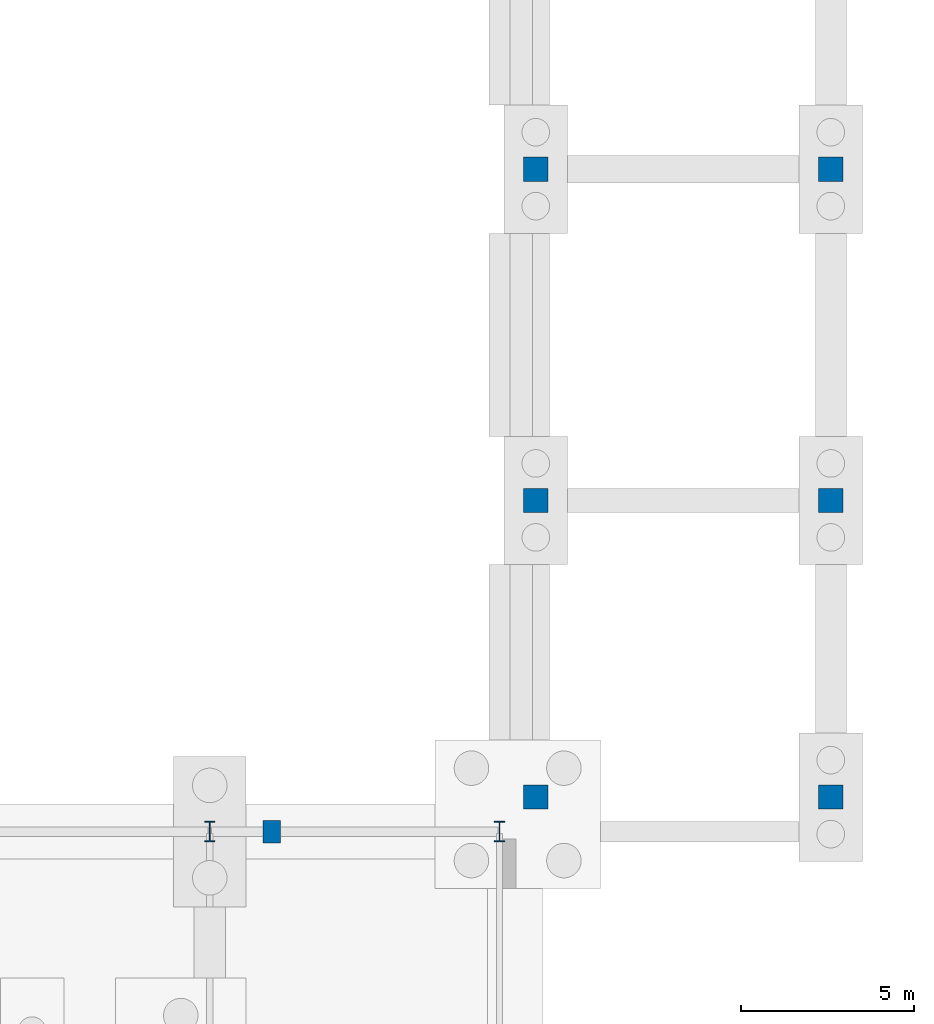
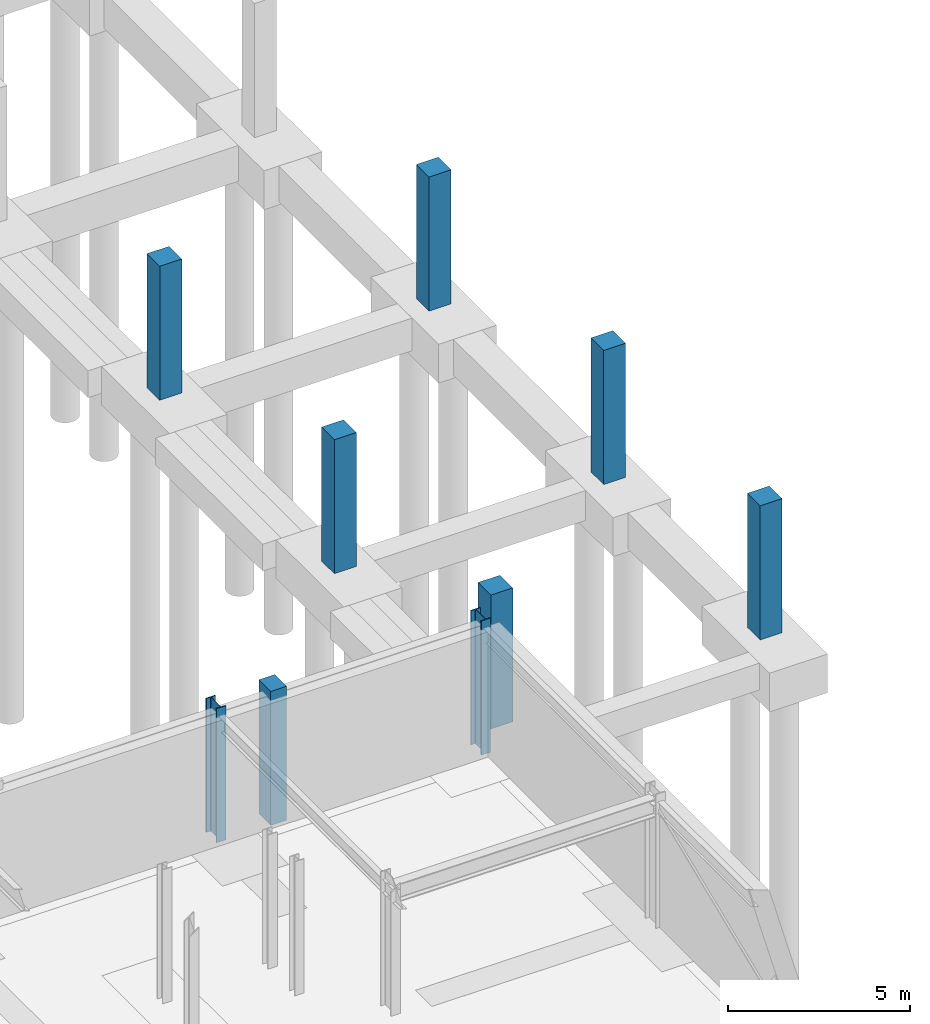
# One storey, part 25 of 59: 9 columns.
"""IFC4 building model written with IfcOpenShell, lengths in metres."""

from ifc_helpers import new_model, si_unit, direction, frame, origin, origin_2d, place, context, subcontext, project, spatial, rectangle, i_section, extrude, material, material_profile, profile_set, type_object, element, save


model = new_model("IFC4")

# Units and contexts
model_context = context("Model", 3, precision=1e-05, world=origin(), true_north=direction((0.0, 1.0)))
body_context = subcontext(model_context, "Body", "Model", "MODEL_VIEW")
ifc_project = project(units=[si_unit("LENGTHUNIT", "METRE"), si_unit("AREAUNIT", "SQUARE_METRE"), si_unit("VOLUMEUNIT", "CUBIC_METRE"), si_unit("PLANEANGLEUNIT", "RADIAN"), si_unit("MASSUNIT", "GRAM", prefix="KILO")], contexts=[model_context])

# Site, building, storey
site_placement = place(None, origin())
site = spatial("IfcSite", under=ifc_project, at=site_placement, CompositionType="ELEMENT")
building_placement = place(site_placement, origin())
building = spatial("IfcBuilding", under=site, at=building_placement, Name="Myrtia Square Station", CompositionType="ELEMENT")
storey_placement = place(building_placement, frame((0.0, 0.0, -4.5)))
storey = spatial("IfcBuildingStorey", under=building, at=storey_placement, Name="B01", CompositionType="ELEMENT", Elevation=-4.5)

# Columns
ifc_material_1 = material(Name="Steel S355", Category="steel")
ifc_material_profile_1 = material_profile(ifc_material_1, i_section(OverallWidth=0.300048828125, OverallDepth=0.60009765625, WebThickness=0.015380859375, FlangeThickness=0.030029296875, FilletRadius=0.027099609375, at=origin_2d()), Name="HEB 600")
ifc_profile_set_1 = profile_set([ifc_material_profile_1], Name="Steel S355")
column_type_1 = type_object("IfcColumnType", Name="COL-HEB600", PredefinedType="COLUMN", material=ifc_profile_set_1)
for number, where, z_axis, x_axis, name in (
    (1, (171.0, 38.39990234375, 0.0), (0.0, 0.0, 1.0), (1.0, 0.0, 0.0), "Column B01-0713"),
    (2, (179.39990234375, 38.39990234375, 0.0), (0.0, 0.0, 1.0), (1.0, 0.0, 0.0), "Column B01-0731"),
):
    element("IfcColumn", number, at=place(storey_placement, frame(where, z_axis=z_axis, x_axis=x_axis)), inside=storey, type_object=column_type_1, Name=name, PredefinedType="COLUMN", context=body_context, shape_type="SweptSolid", body=[
        extrude(i_section(OverallWidth=0.300048828125, OverallDepth=0.60009765625, WebThickness=0.015380859375, FlangeThickness=0.030029296875, FilletRadius=0.027099609375, at=origin_2d()), origin(), (0.0, 0.0, 1.0), 4.5),
    ])
ifc_material_2 = material(Name="Concrete C40/50", Category="concrete")
ifc_material_profile_2 = material_profile(ifc_material_2, rectangle(XDim=0.699951171875, YDim=0.699951171875, at=origin_2d()), Name="RC 700x700")
ifc_profile_set_2 = profile_set([ifc_material_profile_2], Name="Concrete C40/50")
column_type_2 = type_object("IfcColumnType", Name="COL-RC700", PredefinedType="COLUMN", material=ifc_profile_set_2)
for number, where, z_axis, x_axis, name in (
    (3, (180.449951171875, 39.39990234375, 0.0), (0.0, 0.0, 1.0), (1.0, 0.0, 0.0), "Column B01-0481"),
    (4, (180.449951171875, 48.0, 0.0), (0.0, 0.0, 1.0), (1.0, 0.0, 0.0), "Column B01-0483"),
    (5, (180.449951171875, 57.60009765625, 0.0), (0.0, 0.0, 1.0), (1.0, 0.0, 0.0), "Column B01-0485"),
    (6, (189.0, 39.39990234375, 0.0), (0.0, 0.0, 1.0), (1.0, 0.0, 0.0), "Column B01-0493"),
    (7, (189.0, 48.0, 0.0), (0.0, 0.0, 1.0), (1.0, 0.0, 0.0), "Column B01-0495"),
    (8, (189.0, 57.60009765625, 0.0), (0.0, 0.0, 1.0), (1.0, 0.0, 0.0), "Column B01-0497"),
):
    element("IfcColumn", number, at=place(storey_placement, frame(where, z_axis=z_axis, x_axis=x_axis)), inside=storey, type_object=column_type_2, Name=name, PredefinedType="COLUMN", context=body_context, shape_type="SweptSolid", body=[
        extrude(rectangle(XDim=0.699951171875, YDim=0.699951171875, at=origin_2d()), origin(), (0.0, 0.0, 1.0), 4.5),
    ])
ifc_material_profile_3 = material_profile(ifc_material_2, rectangle(XDim=0.5, YDim=0.64990234375, at=origin_2d()), Name="PIL 500x650")
ifc_profile_set_3 = profile_set([ifc_material_profile_3], Name="Concrete C40/50")
column_type_3 = type_object("IfcColumnType", Name="PIL-RC500x650", PredefinedType="PILASTER", material=ifc_profile_set_3)
column_placement = place(storey_placement, frame((172.800048828125, 38.39990234375, 0.0), z_axis=(0.0, 0.0, 1.0), x_axis=(1.0, 0.0, 0.0)))
element("IfcColumn", 9, at=column_placement, inside=storey, type_object=column_type_3, Name="Portales arcade pilaster B01-12", PredefinedType="PILASTER", context=body_context, shape_type="SweptSolid", body=[
    extrude(rectangle(XDim=0.5, YDim=0.64990234375, at=origin_2d()), origin(), (0.0, 0.0, 1.0), 4.5),
])

save(model, "model.ifc")
